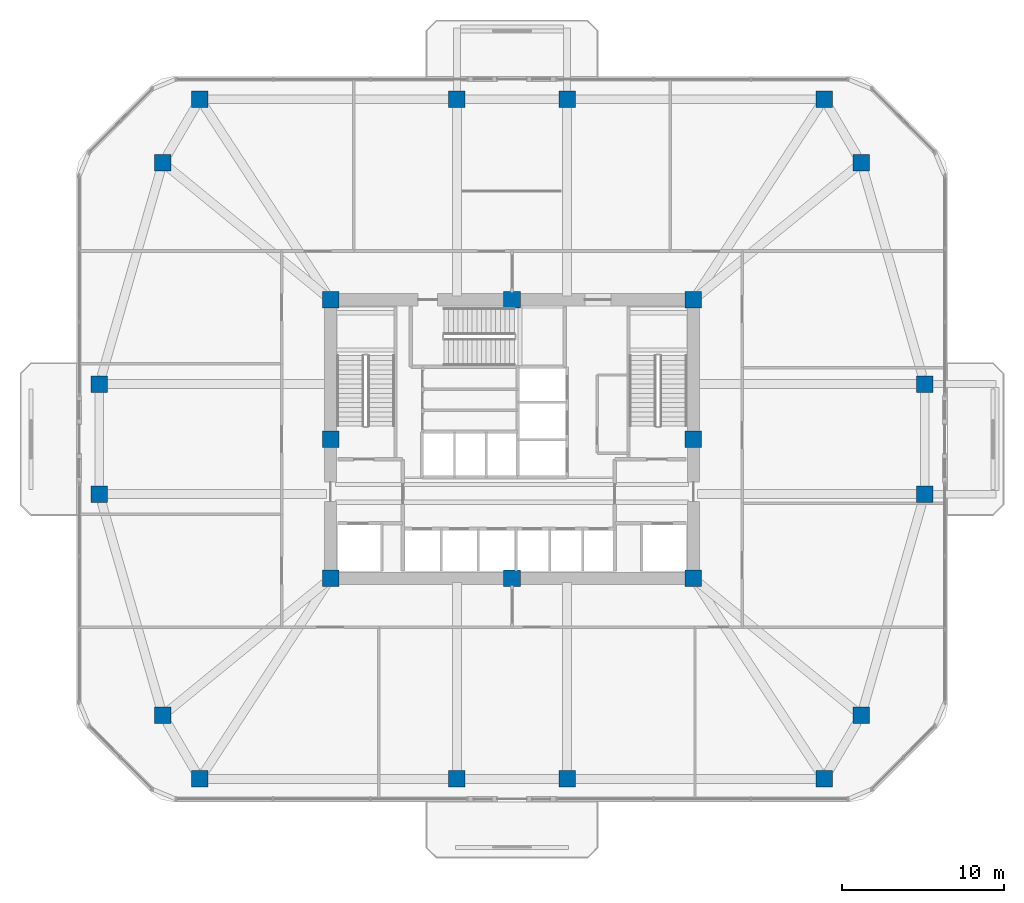
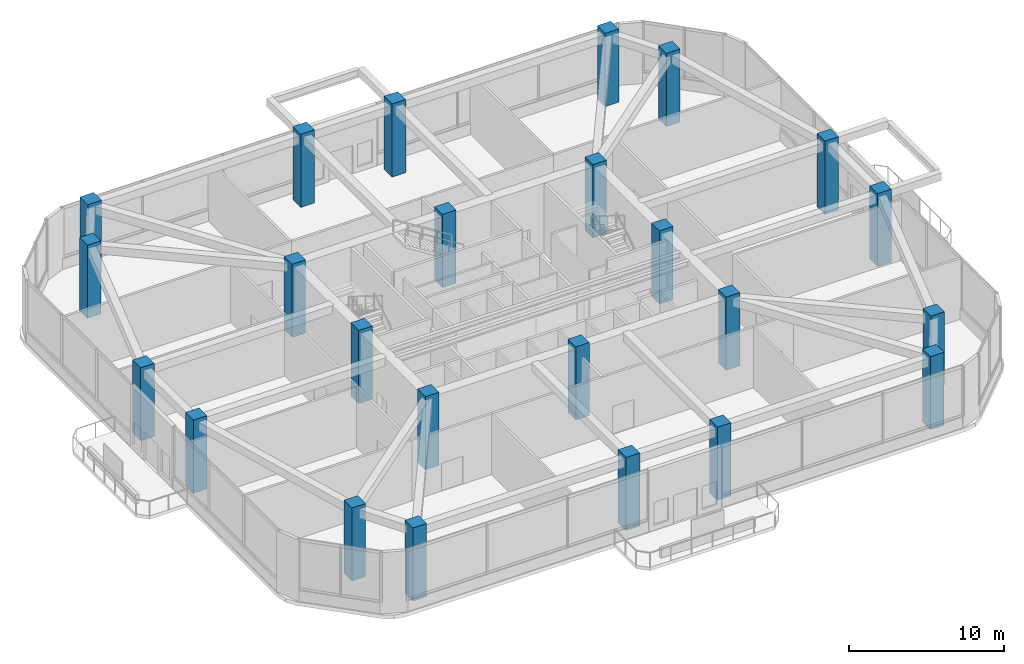
# One storey, part 1 of 13: 24 columns.
"""IFC4 building model written with IfcOpenShell, lengths in metres."""

from ifc_helpers import new_model, si_unit, derived_unit, direction, frame, origin, origin_2d, place, context, subcontext, project, spatial, rectangle, extrude, material, material_profile, profile_set, type_object, element, save


model = new_model("IFC4")

# Units and contexts
model_context = context("Model", 3, precision=1e-05, world=origin(), true_north=direction((0.0, 1.0)))
body_context = subcontext(model_context, "Body", "Model", "MODEL_VIEW")
ifc_project = project(units=[si_unit("LENGTHUNIT", "METRE"), si_unit("AREAUNIT", "SQUARE_METRE"), si_unit("VOLUMEUNIT", "CUBIC_METRE"), si_unit("PLANEANGLEUNIT", "RADIAN"), si_unit("MASSUNIT", "GRAM", prefix="KILO"), derived_unit("THERMALTRANSMITTANCEUNIT", [(si_unit("POWERUNIT", "WATT"), 1), (si_unit("LENGTHUNIT", "METRE"), -2), (si_unit("THERMODYNAMICTEMPERATUREUNIT", "KELVIN"), -1)])], contexts=[model_context])

# Site, building, storey
site_placement = place(None, origin())
site = spatial("IfcSite", under=ifc_project, at=site_placement, CompositionType="ELEMENT")
building_placement = place(site_placement, origin())
building = spatial("IfcBuilding", under=site, at=building_placement, Name="Koralith Skygarden Medical Center", CompositionType="ELEMENT")
storey_placement = place(building_placement, frame((0.0, 0.0, 75.419921875)))
storey = spatial("IfcBuildingStorey", under=building, at=storey_placement, Name="L19", CompositionType="ELEMENT", Elevation=75.419921875)

# Columns
ifc_material = material(Name="Concrete C70/85", Category="concrete")
ifc_material_profile_1 = material_profile(ifc_material, rectangle(XDim=1.02001953125, YDim=1.02001953125, at=origin_2d()), Name="RC1020X1020")
ifc_profile_set_1 = profile_set([ifc_material_profile_1], Name="Concrete C70/85")
column_type_1 = type_object("IfcColumnType", Name="Core Mega-Column C70 RC1020", PredefinedType="COLUMN", material=ifc_profile_set_1)
for number, where, z_axis, x_axis, name in (
    (1, (25.800048828125, 17.300048828125, 0.0), (0.0, 0.0, 1.0), (1.0, 0.0, 0.0), "L19 Core Column CC-01"),
    (2, (37.0, 17.300048828125, 0.0), (0.0, 0.0, 1.0), (1.0, 0.0, 0.0), "L19 Core Column CC-02"),
    (3, (48.199951171875, 17.300048828125, 0.0), (0.0, 0.0, 1.0), (1.0, 0.0, 0.0), "L19 Core Column CC-03"),
    (4, (48.199951171875, 25.89990234375, 0.0), (0.0, 0.0, 1.0), (1.0, 0.0, 0.0), "L19 Core Column CC-04"),
    (5, (48.199951171875, 34.5, 0.0), (0.0, 0.0, 1.0), (1.0, 0.0, 0.0), "L19 Core Column CC-05"),
    (6, (37.0, 34.5, 0.0), (0.0, 0.0, 1.0), (1.0, 0.0, 0.0), "L19 Core Column CC-06"),
    (7, (25.800048828125, 34.5, 0.0), (0.0, 0.0, 1.0), (1.0, 0.0, 0.0), "L19 Core Column CC-07"),
    (8, (25.800048828125, 25.89990234375, 0.0), (0.0, 0.0, 1.0), (1.0, 0.0, 0.0), "L19 Core Column CC-08"),
):
    element("IfcColumn", number, at=place(storey_placement, frame(where, z_axis=z_axis, x_axis=x_axis)), inside=storey, type_object=column_type_1, Name=name, PredefinedType="COLUMN", context=body_context, shape_type="SweptSolid", body=[
        extrude(rectangle(XDim=1.02001953125, YDim=1.02001953125, at=origin_2d()), origin(), (0.0, 0.0, 1.0), 5.760009765625),
    ])
ifc_material_profile_2 = material_profile(ifc_material, rectangle(XDim=1.02001953125, YDim=1.02001953125, at=origin_2d()), Name="RC1020X1020")
ifc_profile_set_2 = profile_set([ifc_material_profile_2], Name="Concrete C70/85")
column_type_2 = type_object("IfcColumnType", Name="Zone 2 Waist-In Mega-Column C70 RC1020", PredefinedType="COLUMN", material=ifc_profile_set_2)
for number, where, z_axis, x_axis, name in (
    (9, (11.52001953125, 22.5, 0.0), (0.0, 0.0, 1.0), (1.0, 0.0, 0.0), "L19 Perimeter Mega-Column MC-01"),
    (10, (15.43994140625, 8.840087890625, 0.0), (0.0, 0.0, 1.0), (1.0, 0.0, 0.0), "L19 Perimeter Mega-Column MC-02"),
    (11, (17.73193359375, 4.919921875, 0.0), (0.0, 0.0, 1.0), (1.0, 0.0, 0.0), "L19 Perimeter Mega-Column MC-03"),
    (12, (33.60009765625, 4.919921875, 0.0), (0.0, 0.0, 1.0), (1.0, 0.0, 0.0), "L19 Perimeter Mega-Column MC-04"),
    (13, (40.39990234375, 4.919921875, 0.0), (0.0, 0.0, 1.0), (1.0, 0.0, 0.0), "L19 Perimeter Mega-Column MC-05"),
    (14, (56.26806640625, 4.919921875, 0.0), (0.0, 0.0, 1.0), (1.0, 0.0, 0.0), "L19 Perimeter Mega-Column MC-06"),
    (15, (58.56005859375, 8.840087890625, 0.0), (0.0, 0.0, 1.0), (1.0, 0.0, 0.0), "L19 Perimeter Mega-Column MC-07"),
    (16, (62.47998046875, 22.5, 0.0), (0.0, 0.0, 1.0), (1.0, 0.0, 0.0), "L19 Perimeter Mega-Column MC-08"),
    (17, (62.47998046875, 29.300048828125, 0.0), (0.0, 0.0, 1.0), (1.0, 0.0, 0.0), "L19 Perimeter Mega-Column MC-09"),
    (18, (58.56005859375, 42.9599609375, 0.0), (0.0, 0.0, 1.0), (1.0, 0.0, 0.0), "L19 Perimeter Mega-Column MC-10"),
    (19, (56.26806640625, 46.8798828125, 0.0), (0.0, 0.0, 1.0), (1.0, 0.0, 0.0), "L19 Perimeter Mega-Column MC-11"),
    (20, (40.39990234375, 46.8798828125, 0.0), (0.0, 0.0, 1.0), (1.0, 0.0, 0.0), "L19 Perimeter Mega-Column MC-12"),
    (21, (33.60009765625, 46.8798828125, 0.0), (0.0, 0.0, 1.0), (1.0, 0.0, 0.0), "L19 Perimeter Mega-Column MC-13"),
    (22, (17.73193359375, 46.8798828125, 0.0), (0.0, 0.0, 1.0), (1.0, 0.0, 0.0), "L19 Perimeter Mega-Column MC-14"),
    (23, (15.43994140625, 42.9599609375, 0.0), (0.0, 0.0, 1.0), (1.0, 0.0, 0.0), "L19 Perimeter Mega-Column MC-15"),
    (24, (11.52001953125, 29.300048828125, 0.0), (0.0, 0.0, 1.0), (1.0, 0.0, 0.0), "L19 Perimeter Mega-Column MC-16"),
):
    element("IfcColumn", number, at=place(storey_placement, frame(where, z_axis=z_axis, x_axis=x_axis)), inside=storey, type_object=column_type_2, Name=name, PredefinedType="COLUMN", context=body_context, shape_type="SweptSolid", body=[
        extrude(rectangle(XDim=1.02001953125, YDim=1.02001953125, at=origin_2d()), origin(), (0.0, 0.0, 1.0), 5.760009765625),
    ])

save(model, "model.ifc")
